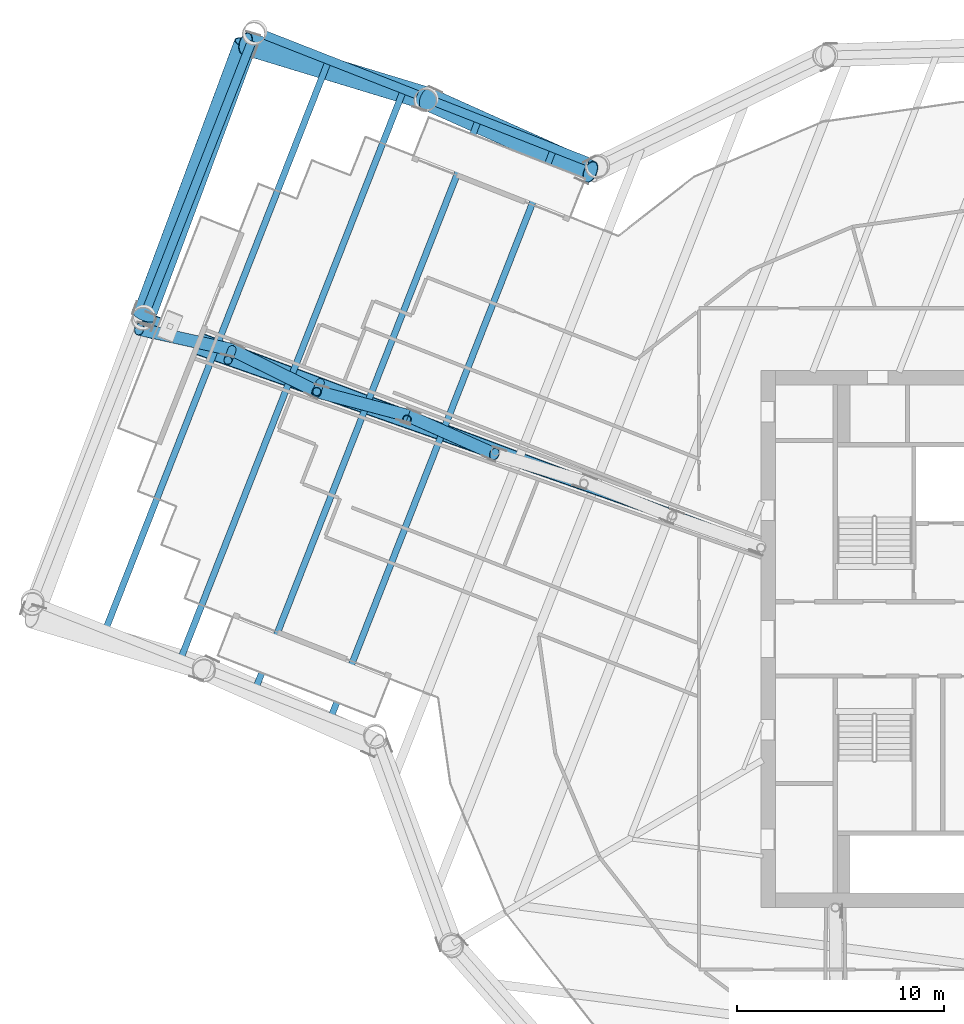
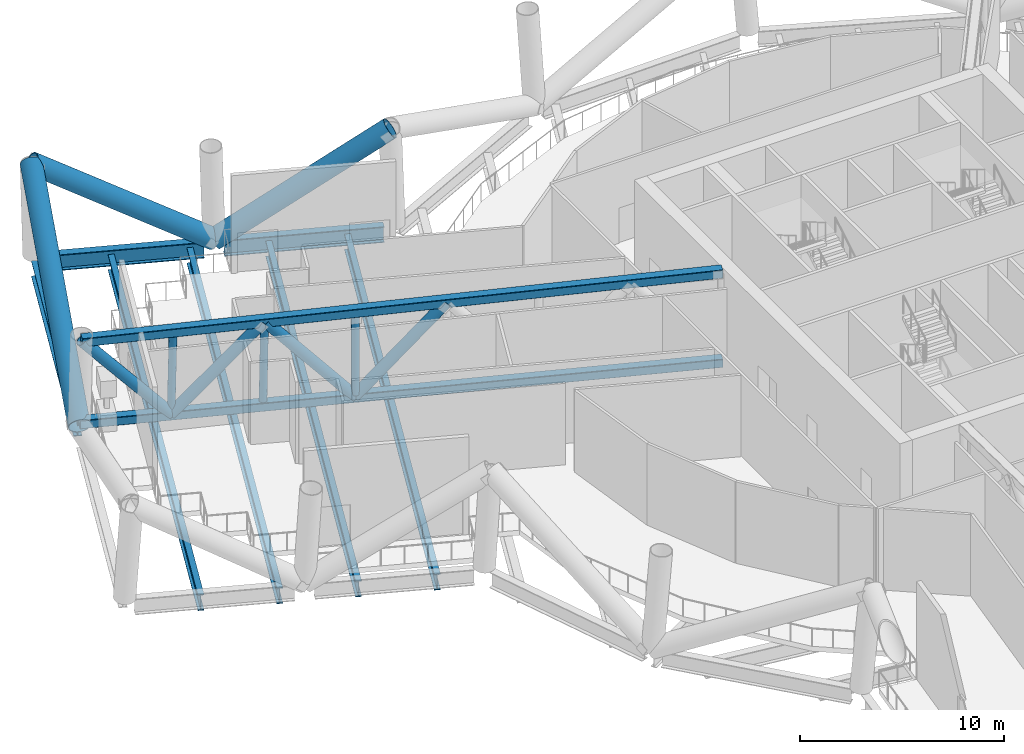
# One storey, part 8 of 36: 12 members, 7 beams.
"""IFC4 building model written with IfcOpenShell, lengths in metres."""

from ifc_helpers import new_model, si_unit, direction, frame, origin, origin_2d, place, context, subcontext, project, spatial, hollow_rectangle, hollow_circle, i_section, extrude, material, material_profile, profile_set, type_object, element, save


model = new_model("IFC4")

# Units and contexts
model_context = context("Model", 3, precision=1e-05, world=origin(), true_north=direction((0.0, 1.0)))
body_context = subcontext(model_context, "Body", "Model", "MODEL_VIEW")
ifc_project = project(units=[si_unit("LENGTHUNIT", "METRE"), si_unit("AREAUNIT", "SQUARE_METRE"), si_unit("VOLUMEUNIT", "CUBIC_METRE"), si_unit("PLANEANGLEUNIT", "RADIAN"), si_unit("MASSUNIT", "GRAM", prefix="KILO")], contexts=[model_context])

# Site, building, storey
site_placement = place(None, origin())
site = spatial("IfcSite", under=ifc_project, at=site_placement, CompositionType="ELEMENT")
building_placement = place(site_placement, origin())
building = spatial("IfcBuilding", under=site, at=building_placement, Name="Tarsis Ring Headquarters", CompositionType="ELEMENT")
storey_placement = place(building_placement, frame((0.0, 0.0, 194.39990234375)))
storey = spatial("IfcBuildingStorey", under=building, at=storey_placement, Name="L45", CompositionType="ELEMENT", Elevation=194.39990234375)

# Beams
ifc_material = material(Name="Structural steel S355", Category="steel")
ifc_material_profile_1 = material_profile(ifc_material, i_section(OverallWidth=0.309814453125, OverallDepth=0.949951171875, WebThickness=0.0244140625, FlangeThickness=0.0439453125, at=origin_2d()), Name="W36x256")
ifc_profile_set_1 = profile_set([ifc_material_profile_1], Name="Structural steel S355")
beam_type_1 = type_object("IfcBeamType", Name="FB Floor beam W36x256", PredefinedType="JOIST", material=ifc_profile_set_1)
beam_1_placement = place(storey_placement, frame((-20.05859375, 23.636474609375, -0.77490234375), z_axis=(-0.364874672561, -0.931056643456, 0.0), x_axis=(0.931056643456, -0.364874672561, 0.0)))
element("IfcBeam", 1, at=beam_1_placement, inside=storey, type_object=beam_type_1, Name="Floor beam FB11", PredefinedType="JOIST", context=body_context, shape_type="SweptSolid", body=[
    extrude(i_section(OverallWidth=0.309814453125, OverallDepth=0.949951171875, WebThickness=0.0244140625, FlangeThickness=0.0439453125, at=origin_2d()), origin(), (0.0, 0.0, 1.0), 29.3759765625),
])
beam_2_placement = place(storey_placement, frame((-23.689697265625, 25.059326171875, -0.77490234375), z_axis=(-0.364877495961, -0.93105553698, 0.0), x_axis=(0.93105553698, -0.364877495961, 0.0)))
element("IfcBeam", 2, at=beam_2_placement, inside=storey, type_object=beam_type_1, Name="Floor beam FB11", PredefinedType="JOIST", context=body_context, shape_type="SweptSolid", body=[
    extrude(i_section(OverallWidth=0.309814453125, OverallDepth=0.949951171875, WebThickness=0.0244140625, FlangeThickness=0.0439453125, at=origin_2d()), origin(), (0.0, 0.0, 1.0), 29.375732421875),
])
for number, where, z_axis, x_axis, name in (
    (3, (-27.32080078125, 26.482421875, -0.77490234375), (-0.364874672561, -0.931056643456, 0.0), (0.931056643456, -0.364874672561, 0.0), "Floor beam FB11"),
    (4, (-30.951904296875, 27.905517578125, -0.77490234375), (-0.364874672561, -0.931056643456, 0.0), (0.931056643456, -0.364874672561, 0.0), "Floor beam FB11"),
):
    element("IfcBeam", number, at=place(storey_placement, frame(where, z_axis=z_axis, x_axis=x_axis)), inside=storey, type_object=beam_type_1, Name=name, PredefinedType="JOIST", context=body_context, shape_type="SweptSolid", body=[
        extrude(i_section(OverallWidth=0.309814453125, OverallDepth=0.949951171875, WebThickness=0.0244140625, FlangeThickness=0.0439453125, at=origin_2d()), origin(), (0.0, 0.0, 1.0), 29.3759765625),
    ])

# Members
ifc_material_profile_2 = material_profile(ifc_material, hollow_rectangle(XDim=0.508056640625, YDim=0.508056640625, WallThickness=0.025390625, InnerFilletRadius=0.025390625, OuterFilletRadius=0.05078125, at=origin_2d()), Name="HSS 508x508x25")
ifc_profile_set_2 = profile_set([ifc_material_profile_2], Name="Structural steel S355")
member_type_1 = type_object("IfcMemberType", Name="OC Outrigger chord HSS 508x508x25", PredefinedType="CHORD", material=ifc_profile_set_2)
member_1_placement = place(storey_placement, frame((-10.0, 4.410888671875, 0.254150390625), z_axis=(-0.936535761113, 0.350572058435, 0.0), x_axis=(-0.350572058435, -0.936535761113, 0.0)))
element("IfcMember", 5, at=member_1_placement, inside=storey, type_object=member_type_1, Name="Outrigger chord OC1", PredefinedType="CHORD", context=body_context, shape_type="SweptSolid", body=[
    extrude(hollow_rectangle(XDim=0.508056640625, YDim=0.508056640625, WallThickness=0.025390625, InnerFilletRadius=0.025390625, OuterFilletRadius=0.05078125, at=origin_2d()), origin(), (0.0, 0.0, 1.0), 31.883544921875),
])
member_2_placement = place(storey_placement, frame((-10.0, 4.410888671875, 5.586181640625), z_axis=(-0.943352815494, 0.331791298108, 0.0), x_axis=(-0.331791298108, -0.943352815494, 0.0)))
element("IfcMember", 6, at=member_2_placement, inside=storey, type_object=member_type_1, Name="Outrigger chord OC1", PredefinedType="CHORD", context=body_context, shape_type="SweptSolid", body=[
    extrude(hollow_rectangle(XDim=0.508056640625, YDim=0.508056640625, WallThickness=0.025390625, InnerFilletRadius=0.025390625, OuterFilletRadius=0.05078125, at=origin_2d()), origin(), (0.0, 0.0, 1.0), 31.894287109375),
])
ifc_material_profile_3 = material_profile(ifc_material, hollow_circle(Radius=0.3046875, WallThickness=0.02490234375, at=origin_2d()), Name="CHS 610x25")
ifc_profile_set_3 = profile_set([ifc_material_profile_3], Name="Structural steel S355")
member_type_2 = type_object("IfcMemberType", Name="OD Outrigger diagonal CHS 610x25", PredefinedType="BRACE", material=ifc_profile_set_3)
member_3_placement = place(storey_placement, frame((-22.894775390625, 8.946044921875, 5.586181640625), z_axis=(-0.594043792068, 0.263915080117, -0.759908417898), x_axis=(-0.406004367584, -0.913871136158, 0.0)))
element("IfcMember", 7, at=member_3_placement, inside=storey, type_object=member_type_2, Name="Outrigger diagonal OD1", PredefinedType="BRACE", context=body_context, shape_type="SweptSolid", body=[
    extrude(hollow_circle(Radius=0.3046875, WallThickness=0.02490234375, at=origin_2d()), origin(), (0.0, 0.0, 1.0), 7.0166015625),
])
member_4_placement = place(storey_placement, frame((-27.06298828125, 10.7978515625, 0.254150390625), z_axis=(-0.629957621645, 0.166675853251, 0.758533160036), x_axis=(-0.255781221311, -0.96673469309, 0.0)))
element("IfcMember", 8, at=member_4_placement, inside=storey, type_object=member_type_2, Name="Outrigger diagonal OD1", PredefinedType="BRACE", context=body_context, shape_type="SweptSolid", body=[
    extrude(hollow_circle(Radius=0.3046875, WallThickness=0.02490234375, at=origin_2d()), origin(), (0.0, 0.0, 1.0), 7.029296875),
])
member_5_placement = place(storey_placement, frame((-31.4912109375, 11.969482421875, 5.586181640625), z_axis=(-0.584042257487, 0.287816135696, -0.758983869066), x_axis=(-0.44203957671, -0.896995547716, 0.0)))
element("IfcMember", 9, at=member_5_placement, inside=storey, type_object=member_type_2, Name="Outrigger diagonal OD1", PredefinedType="BRACE", context=body_context, shape_type="SweptSolid", body=[
    extrude(hollow_circle(Radius=0.3046875, WallThickness=0.02490234375, at=origin_2d()), origin(), (0.0, 0.0, 1.0), 7.025146484375),
])
member_6_placement = place(storey_placement, frame((-35.59423828125, 13.991455078125, 0.254150390625), z_axis=(-0.637862317902, 0.142197722921, 0.75690915637), x_axis=(-0.217587372761, -0.976040847104, 0.0)))
element("IfcMember", 10, at=member_6_placement, inside=storey, type_object=member_type_2, Name="Outrigger diagonal OD1", PredefinedType="BRACE", context=body_context, shape_type="SweptSolid", body=[
    extrude(hollow_circle(Radius=0.3046875, WallThickness=0.02490234375, at=origin_2d()), origin(), (0.0, 0.0, 1.0), 7.04443359375),
])
ifc_material_profile_4 = material_profile(ifc_material, hollow_circle(Radius=0.203125, WallThickness=0.01611328125, at=origin_2d()), Name="CHS 406x16")
ifc_profile_set_4 = profile_set([ifc_material_profile_4], Name="Structural steel S355")
member_type_3 = type_object("IfcMemberType", Name="OV Outrigger post CHS 406x16", PredefinedType="STRUT", material=ifc_profile_set_4)
member_7_placement = place(storey_placement, frame((-27.1279296875, 10.6279296875, 0.508056640625), z_axis=(0.0, 0.0, 1.0), x_axis=(1.0, 0.0, 0.0)))
element("IfcMember", 11, at=member_7_placement, inside=storey, type_object=member_type_3, Name="Outrigger post OV1", PredefinedType="STRUT", context=body_context, shape_type="SweptSolid", body=[
    extrude(hollow_circle(Radius=0.203125, WallThickness=0.01611328125, at=origin_2d()), origin(), (0.0, 0.0, 1.0), 4.823974609375),
])
member_8_placement = place(storey_placement, frame((-31.32861328125, 12.394775390625, 0.508056640625), z_axis=(-0.033557015852, -0.087772254676, 0.995575189524), x_axis=(0.934062356128, -0.357109947865, 0.0)))
element("IfcMember", 12, at=member_8_placement, inside=storey, type_object=member_type_3, Name="Outrigger post OV1", PredefinedType="STRUT", context=body_context, shape_type="SweptSolid", body=[
    extrude(hollow_circle(Radius=0.203125, WallThickness=0.01611328125, at=origin_2d()), origin(), (0.0, 0.0, 1.0), 4.845458984375),
])
member_9_placement = place(storey_placement, frame((-35.59423828125, 13.991455078125, 0.508056640625), z_axis=(-0.040180676284, -0.105053107331, 0.993654546557), x_axis=(0.934012348506, -0.357240721137, 0.0)))
element("IfcMember", 13, at=member_9_placement, inside=storey, type_object=member_type_3, Name="Outrigger post OV1", PredefinedType="STRUT", context=body_context, shape_type="SweptSolid", body=[
    extrude(hollow_circle(Radius=0.203125, WallThickness=0.01611328125, at=origin_2d()), origin(), (0.0, 0.0, 1.0), 4.854736328125),
])
ifc_material_profile_5 = material_profile(ifc_material, hollow_circle(Radius=0.558837890625, WallThickness=0.044921875, at=origin_2d()), Name="CHS 1118x45")
ifc_profile_set_5 = profile_set([ifc_material_profile_5], Name="Structural steel S355")
member_type_4 = type_object("IfcMemberType", Name="TD Belt truss diagonal CHS 1118x45", PredefinedType="BRACE", material=ifc_profile_set_5)
member_10_placement = place(storey_placement, frame((-26.16064453125, 26.148193359375, 0.0), z_axis=(0.750078209029, -0.336839283409, 0.569141438917), x_axis=(0.409660721509, 0.912237958678, 0.0)))
element("IfcMember", 14, at=member_10_placement, inside=storey, type_object=member_type_4, Name="Belt truss diagonal TD4", PredefinedType="BRACE", context=body_context, shape_type="SweptSolid", body=[
    extrude(hollow_circle(Radius=0.558837890625, WallThickness=0.044921875, at=origin_2d()), origin(), (0.0, 0.0, 1.0), 10.542236328125),
])
member_11_placement = place(storey_placement, frame((-26.16064453125, 26.148193359375, 0.0), z_axis=(-0.800706889488, 0.243306015909, 0.547421829807), x_axis=(-0.290737925008, -0.956802727297, 0.0)))
element("IfcMember", 15, at=member_11_placement, inside=storey, type_object=member_type_4, Name="Belt truss diagonal TD4", PredefinedType="BRACE", context=body_context, shape_type="SweptSolid", body=[
    extrude(hollow_circle(Radius=0.558837890625, WallThickness=0.044921875, at=origin_2d()), origin(), (0.0, 0.0, 1.0), 10.96044921875),
])
member_12_placement = place(storey_placement, frame((-39.84912109375, 15.61669921875, 0.0), z_axis=(0.320907947409, 0.862197884644, 0.391960325805), x_axis=(-0.937189826786, 0.348819765164, 0.0)))
element("IfcMember", 16, at=member_12_placement, inside=storey, type_object=member_type_4, Name="Belt truss diagonal TD4", PredefinedType="BRACE", context=body_context, shape_type="SweptSolid", body=[
    extrude(hollow_circle(Radius=0.558837890625, WallThickness=0.044921875, at=origin_2d()), origin(), (0.0, 0.0, 1.0), 15.3076171875),
])

# Beams
ifc_material_profile_6 = material_profile(ifc_material, i_section(OverallWidth=0.42431640625, OverallDepth=0.947509765625, WebThickness=0.02392578125, FlangeThickness=0.042724609375, at=origin_2d()), Name="W36x302")
ifc_profile_set_6 = profile_set([ifc_material_profile_6], Name="Structural steel S355")
beam_type_2 = type_object("IfcBeamType", Name="XG Ring girder W36x302", PredefinedType="BEAM", material=ifc_profile_set_6)
for number, where, z_axis, x_axis, name in (
    (17, (-18.34033203125, 23.08349609375, -0.4736328125), (-0.931061566921, 0.364862109027, 0.0), (-0.364862109027, -0.931061566921, 0.0), "Ring girder XG1"),
    (18, (-26.628662109375, 26.33154296875, -0.4736328125), (-0.931051063563, 0.364888910545, 0.0), (-0.364888910545, -0.931051063563, 0.0), "Ring girder XG1"),
):
    element("IfcBeam", number, at=place(storey_placement, frame(where, z_axis=z_axis, x_axis=x_axis)), inside=storey, type_object=beam_type_2, Name=name, PredefinedType="BEAM", context=body_context, shape_type="SweptSolid", body=[
        extrude(i_section(OverallWidth=0.42431640625, OverallDepth=0.947509765625, WebThickness=0.02392578125, FlangeThickness=0.042724609375, at=origin_2d()), origin(), (0.0, 0.0, 1.0), 7.896484375),
    ])
beam_3_placement = place(storey_placement, frame((-34.632568359375, 28.92822265625, -0.4736328125), z_axis=(-0.36487577228, -0.931056212483, 0.0), x_axis=(0.931056212483, -0.36487577228, 0.0)))
element("IfcBeam", 19, at=beam_3_placement, inside=storey, type_object=beam_type_2, Name="Ring girder XG1", PredefinedType="BEAM", context=body_context, shape_type="SweptSolid", body=[
    extrude(i_section(OverallWidth=0.42431640625, OverallDepth=0.947509765625, WebThickness=0.02392578125, FlangeThickness=0.042724609375, at=origin_2d()), origin(), (0.0, 0.0, 1.0), 13.794189453125),
])

save(model, "model.ifc")
